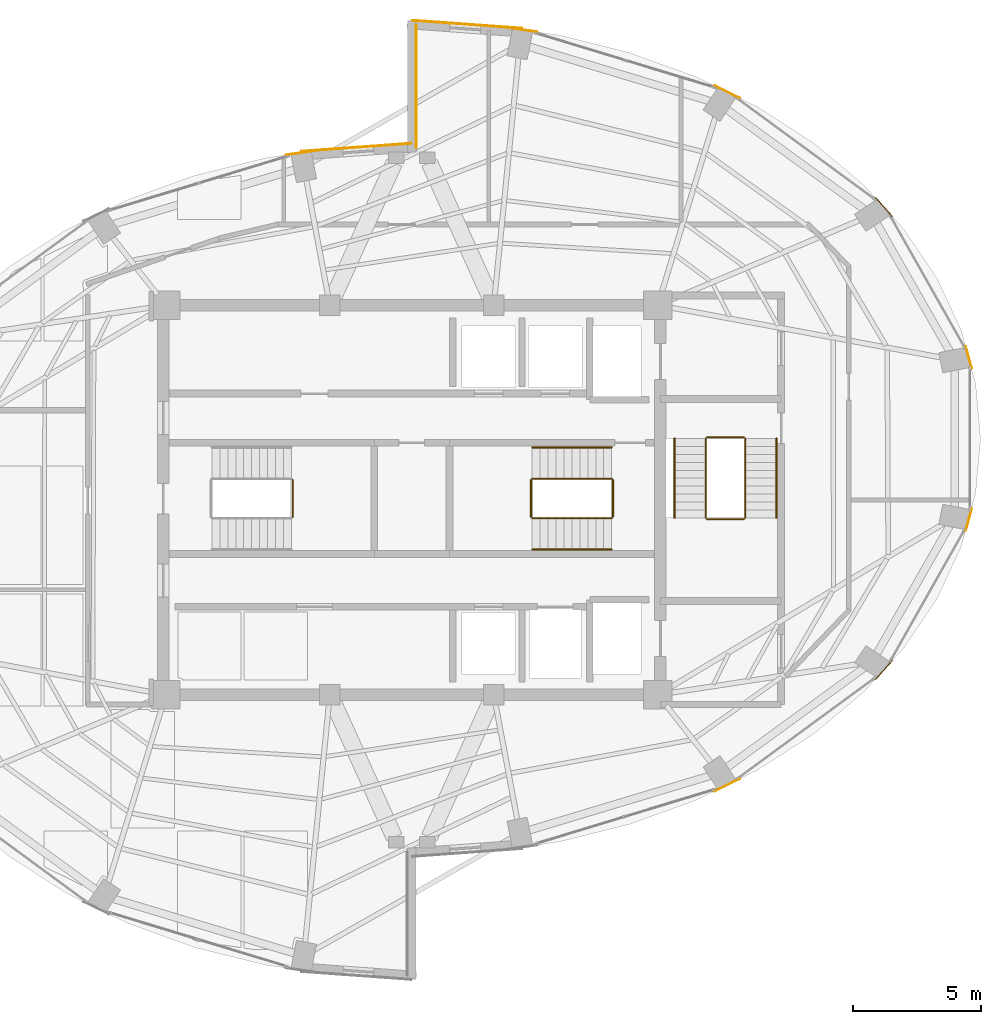
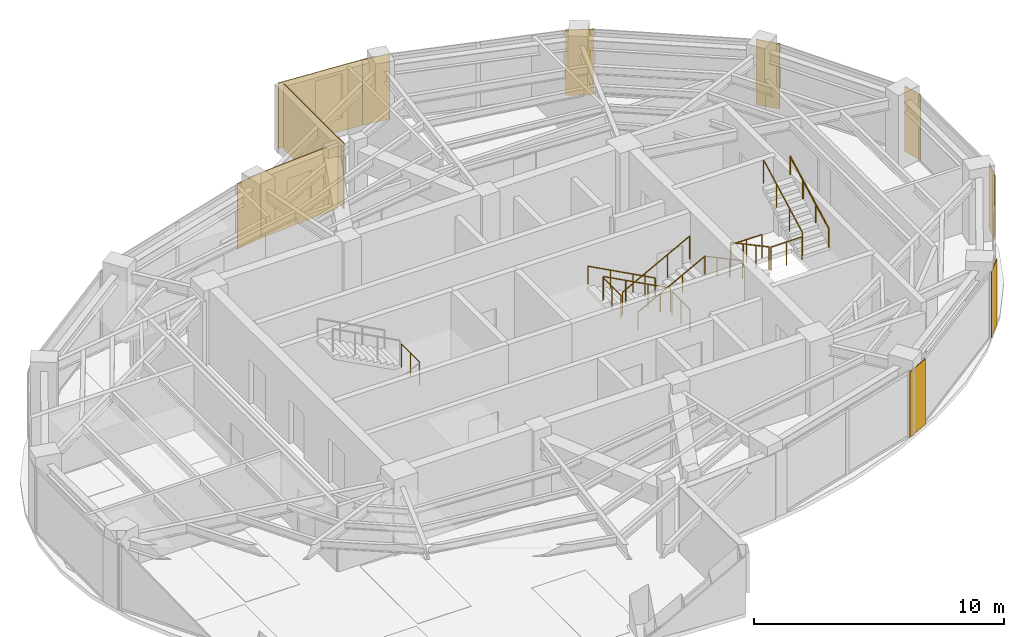
# One storey, part 22 of 22: 13 railings, 11 coverings.
"""IFC4 building model written with IfcOpenShell, lengths in metres."""

from ifc_helpers import new_model, si_unit, direction, frame, origin, origin_2d, place, context, subcontext, project, spatial, rectangle, circle, extrude, material, layer, layer_set, type_object, element, save


model = new_model("IFC4")

# Units and contexts
model_context = context("Model", 3, precision=1e-05, world=origin(), true_north=direction((0.0, 1.0)))
body_context = subcontext(model_context, "Body", "Model", "MODEL_VIEW")
ifc_project = project(units=[si_unit("LENGTHUNIT", "METRE"), si_unit("AREAUNIT", "SQUARE_METRE"), si_unit("VOLUMEUNIT", "CUBIC_METRE"), si_unit("PLANEANGLEUNIT", "RADIAN"), si_unit("MASSUNIT", "GRAM", prefix="KILO")], contexts=[model_context])

# Site, building, storey
site_placement = place(None, origin())
site = spatial("IfcSite", under=ifc_project, at=site_placement, CompositionType="ELEMENT")
building_placement = place(site_placement, origin())
building = spatial("IfcBuilding", under=site, at=building_placement, Name="Lazwardi Medical Tower", CompositionType="ELEMENT")
storey_placement = place(building_placement, frame((0.0, 0.0, 242.256103515625)))
storey = spatial("IfcBuildingStorey", under=building, at=storey_placement, Name="L63", CompositionType="ELEMENT", Elevation=242.256103515625)

# Coverings
ifc_material_1 = material(Name="Anodised bronze aluminium cassette cladding", Category="aluminium")
ifc_layer_1 = layer(ifc_material_1, 0.030029296875)
ifc_layer_set_1 = layer_set([ifc_layer_1], Name="Anodised bronze aluminium cassette cladding")
covering_type_1 = type_object("IfcCoveringType", Name="COV-CLD-BRZ", PredefinedType="CLADDING", material=ifc_layer_set_1)
covering_1_placement = place(storey_placement, frame((48.311279296875, 16.878662109375, 0.0), z_axis=(0.0, 0.0, 1.0), x_axis=(0.897840141691, 0.440321564278, 0.0)))
element("IfcCovering", 1, at=covering_1_placement, inside=storey, type_object=covering_type_1, Name="L63 Mega-column bronze cassette cover M02", PredefinedType="CLADDING", context=body_context, shape_type="SweptSolid", body=[
    extrude(rectangle(XDim=1.110595703125, YDim=0.030029296875, at=origin_2d()), origin(), (0.0, 0.0, 1.0), 3.197998046875),
])
covering_2_placement = place(storey_placement, frame((54.42529296875, 21.365234375, 0.0), z_axis=(0.0, 0.0, 1.0), x_axis=(0.673240970654, 0.739423150458, 0.0)))
element("IfcCovering", 2, at=covering_2_placement, inside=storey, type_object=covering_type_1, Name="L63 Mega-column bronze cassette cover M03", PredefinedType="CLADDING", context=body_context, shape_type="SweptSolid", body=[
    extrude(rectangle(XDim=0.98974609375, YDim=0.030029296875, at=origin_2d()), origin(), (0.0, 0.0, 1.0), 3.197998046875),
])
for number, where, z_axis, x_axis, name in (
    (3, (57.734130859375, 27.227294921875, 0.0), (0.0, 0.0, 1.0), (0.261641748247, 0.96516506131, 0.0), "L63 Mega-column bronze cassette cover M04"),
    (4, (57.734130859375, 33.572509765625, 0.0), (0.0, 0.0, 1.0), (-0.261641748247, 0.96516506131, 0.0), "L63 Mega-column bronze cassette cover M05"),
):
    element("IfcCovering", number, at=place(storey_placement, frame(where, z_axis=z_axis, x_axis=x_axis)), inside=storey, type_object=covering_type_1, Name=name, PredefinedType="CLADDING", context=body_context, shape_type="SweptSolid", body=[
        extrude(rectangle(XDim=0.894287109375, YDim=0.030029296875, at=origin_2d()), origin(), (0.0, 0.0, 1.0), 3.197998046875),
    ])
covering_3_placement = place(storey_placement, frame((54.42529296875, 39.434814453125, 0.0), z_axis=(0.0, 0.0, 1.0), x_axis=(-0.673240970654, 0.739423150458, 0.0)))
element("IfcCovering", 5, at=covering_3_placement, inside=storey, type_object=covering_type_1, Name="L63 Mega-column bronze cassette cover M06", PredefinedType="CLADDING", context=body_context, shape_type="SweptSolid", body=[
    extrude(rectangle(XDim=0.98974609375, YDim=0.030029296875, at=origin_2d()), origin(), (0.0, 0.0, 1.0), 3.197998046875),
])
covering_4_placement = place(storey_placement, frame((48.311279296875, 43.92138671875, 0.0), z_axis=(0.0, 0.0, 1.0), x_axis=(-0.897840141691, 0.440321564278, 0.0)))
element("IfcCovering", 6, at=covering_4_placement, inside=storey, type_object=covering_type_1, Name="L63 Mega-column bronze cassette cover M07", PredefinedType="CLADDING", context=body_context, shape_type="SweptSolid", body=[
    extrude(rectangle(XDim=1.110595703125, YDim=0.030029296875, at=origin_2d()), origin(), (0.0, 0.0, 1.0), 3.197998046875),
])
for number, where, z_axis, x_axis, name in (
    (7, (40.3232421875, 46.349609375, 0.0), (0.0, 0.0, 1.0), (-0.989512431533, 0.144447733943, 0.0), "L63 Mega-column bronze cassette cover M08"),
    (8, (31.6767578125, 41.549560546875, 0.0), (0.0, 0.0, 1.0), (-0.989512431533, -0.144447733943, 0.0), "L63 Mega-column bronze cassette cover M09"),
):
    element("IfcCovering", number, at=place(storey_placement, frame(where, z_axis=z_axis, x_axis=x_axis)), inside=storey, type_object=covering_type_1, Name=name, PredefinedType="CLADDING", context=body_context, shape_type="SweptSolid", body=[
        extrude(rectangle(XDim=1.188720703125, YDim=0.030029296875, at=origin_2d()), origin(), (0.0, 0.0, 1.0), 3.197998046875),
    ])
ifc_material_2 = material(Name="Turquoise glazed ceramic tilework cladding", Category="masonry")
ifc_layer_2 = layer(ifc_material_2, 0.034912109375)
ifc_layer_set_2 = layer_set([ifc_layer_2], Name="Turquoise glazed ceramic tilework cladding")
covering_type_2 = type_object("IfcCoveringType", Name="COV-CLD-TRQ", PredefinedType="CLADDING", material=ifc_layer_set_2)
covering_5_placement = place(storey_placement, frame((38.16259765625, 46.56005859375, 0.0), z_axis=(0.0, 0.0, 1.0), x_axis=(-0.997409491337, 0.071932653157, 0.0)))
element("IfcCovering", 9, at=covering_5_placement, inside=storey, type_object=covering_type_2, Name="L63 Turquoise glazed ceramic tilework cladding", PredefinedType="CLADDING", context=body_context, shape_type="SweptSolid", body=[
    extrude(rectangle(XDim=4.31103515625, YDim=0.034912109375, at=origin_2d()), origin(), (0.0, 0.0, 1.0), 3.197998046875),
])
covering_6_placement = place(storey_placement, frame((33.83740234375, 41.760009765625, 0.0), z_axis=(0.0, 0.0, 1.0), x_axis=(-0.997408989128, -0.071939616387, 0.0)))
element("IfcCovering", 10, at=covering_6_placement, inside=storey, type_object=covering_type_2, Name="L63 Turquoise glazed ceramic tilework cladding", PredefinedType="CLADDING", context=body_context, shape_type="SweptSolid", body=[
    extrude(rectangle(XDim=4.310546875, YDim=0.034912109375, at=origin_2d()), origin(), (0.0, 0.0, 1.0), 3.197998046875),
])
covering_7_placement = place(storey_placement, frame((36.175537109375, 44.139892578125, 0.0), z_axis=(0.0, 0.0, 1.0), x_axis=(0.0, -1.0, 0.0)))
element("IfcCovering", 11, at=covering_7_placement, inside=storey, type_object=covering_type_2, Name="L63 Turquoise glazed ceramic tilework iwan panel", PredefinedType="CLADDING", context=body_context, shape_type="SweptSolid", body=[
    extrude(rectangle(XDim=4.800048828125, YDim=0.034912109375, at=origin_2d()), origin(), (0.0, 0.0, 1.0), 3.197998046875),
])

# Railings
ifc_material_3 = material(Name="Stainless steel Grade 316", Category="steel")
railing_type_1 = type_object("IfcRailingType", Name="RLG-GRD-1150", PredefinedType="GUARDRAIL", material=ifc_material_3)
railing_1_placement = place(storey_placement, frame((31.35009765625, 27.340087890625, 1.823974609375)))
element("IfcRailing", 12, at=railing_1_placement, inside=storey, type_object=railing_type_1, Name="L63 ST1 stair guard 2", PredefinedType="GUARDRAIL", context=body_context, shape_type="SweptSolid", body=[
    extrude(circle(Radius=0.02392578125, at=origin_2d()), frame((0.0, 0.0, 1.1259765625), z_axis=(0.0, 1.0, 0.0), x_axis=(-1.0, 0.0, 0.0)), (0.0, 0.0, 1.0), 1.43994140625),
    extrude(circle(Radius=0.02099609375, at=origin_2d()), origin(), (0.0, 0.0, 1.0), 1.099853515625),
    extrude(circle(Radius=0.02099609375, at=origin_2d()), frame((0.0, 0.719970703125, 0.0)), (0.0, 0.0, 1.0), 1.099853515625),
    extrude(circle(Radius=0.02099609375, at=origin_2d()), frame((0.0, 1.43994140625, 0.0)), (0.0, 0.0, 1.0), 1.099853515625),
])
railing_2_placement = place(storey_placement, frame((43.800048828125, 28.830078125, 0.165771484375)))
element("IfcRailing", 13, at=railing_2_placement, inside=storey, type_object=railing_type_1, Name="L63 ST2 stair guard 1", PredefinedType="GUARDRAIL", context=body_context, shape_type="SweptSolid", body=[
    extrude(circle(Radius=0.02392578125, at=origin_2d()), frame((0.0, 0.0, 1.1259765625), z_axis=(-0.881783298633, 0.0, 0.471654761719), x_axis=(0.0, -1.0, 0.0)), (0.0, 0.0, 1.0), 3.515625),
    extrude(circle(Radius=0.02099609375, at=origin_2d()), origin(), (0.0, 0.0, 1.0), 1.099853515625),
    extrude(circle(Radius=0.02099609375, at=origin_2d()), frame((-1.033447265625, 0.0, 0.552734375)), (0.0, 0.0, 1.0), 1.099853515625),
    extrude(circle(Radius=0.02099609375, at=origin_2d()), frame((-2.066650390625, 0.0, 1.10546875)), (0.0, 0.0, 1.0), 1.099853515625),
    extrude(circle(Radius=0.02099609375, at=origin_2d()), frame((-3.10009765625, 0.0, 1.658203125)), (0.0, 0.0, 1.0), 1.099853515625),
])
railing_3_placement = place(storey_placement, frame((40.64990234375, 28.780029296875, 1.823974609375)))
element("IfcRailing", 14, at=railing_3_placement, inside=storey, type_object=railing_type_1, Name="L63 ST2 stair guard 2", PredefinedType="GUARDRAIL", context=body_context, shape_type="SweptSolid", body=[
    extrude(circle(Radius=0.02392578125, at=origin_2d()), frame((0.0, 0.0, 1.1259765625), z_axis=(0.0, -1.0, 0.0), x_axis=(1.0, 0.0, 0.0)), (0.0, 0.0, 1.0), 1.43994140625),
    extrude(circle(Radius=0.02099609375, at=origin_2d()), origin(), (0.0, 0.0, 1.0), 1.099853515625),
    extrude(circle(Radius=0.02099609375, at=origin_2d()), frame((0.0, -0.719970703125, 0.0)), (0.0, 0.0, 1.0), 1.099853515625),
    extrude(circle(Radius=0.02099609375, at=origin_2d()), frame((0.0, -1.43994140625, 0.0)), (0.0, 0.0, 1.0), 1.099853515625),
])
railing_4_placement = place(storey_placement, frame((40.699951171875, 27.2900390625, 1.98974609375)))
element("IfcRailing", 15, at=railing_4_placement, inside=storey, type_object=railing_type_1, Name="L63 ST2 stair guard 3", PredefinedType="GUARDRAIL", context=body_context, shape_type="SweptSolid", body=[
    extrude(circle(Radius=0.02392578125, at=origin_2d()), frame((0.0, 0.0, 1.1259765625), z_axis=(0.881783298633, 0.0, 0.471654761719), x_axis=(0.0, 1.0, 0.0)), (0.0, 0.0, 1.0), 3.515625),
    extrude(circle(Radius=0.02099609375, at=origin_2d()), origin(), (0.0, 0.0, 1.0), 1.099853515625),
    extrude(circle(Radius=0.02099609375, at=origin_2d()), frame((1.033447265625, 0.0, 0.552734375)), (0.0, 0.0, 1.0), 1.099853515625),
    extrude(circle(Radius=0.02099609375, at=origin_2d()), frame((2.066650390625, 0.0, 1.10546875)), (0.0, 0.0, 1.0), 1.099853515625),
    extrude(circle(Radius=0.02099609375, at=origin_2d()), frame((3.10009765625, 0.0, 1.658203125)), (0.0, 0.0, 1.0), 1.099853515625),
])
railing_5_placement = place(storey_placement, frame((43.85009765625, 28.780029296875, 0.0)))
element("IfcRailing", 16, at=railing_5_placement, inside=storey, type_object=railing_type_1, Name="L63 ST2 stair guard 4", PredefinedType="GUARDRAIL", context=body_context, shape_type="SweptSolid", body=[
    extrude(circle(Radius=0.02392578125, at=origin_2d()), frame((0.0, 0.0, 1.1259765625), z_axis=(0.0, -1.0, 0.0), x_axis=(1.0, 0.0, 0.0)), (0.0, 0.0, 1.0), 1.43994140625),
    extrude(circle(Radius=0.02099609375, at=origin_2d()), origin(), (0.0, 0.0, 1.0), 1.099853515625),
    extrude(circle(Radius=0.02099609375, at=origin_2d()), frame((0.0, -0.719970703125, 0.0)), (0.0, 0.0, 1.0), 1.099853515625),
    extrude(circle(Radius=0.02099609375, at=origin_2d()), frame((0.0, -1.43994140625, 0.0)), (0.0, 0.0, 1.0), 1.099853515625),
])
railing_6_placement = place(storey_placement, frame((47.469970703125, 30.39990234375, 0.165771484375)))
element("IfcRailing", 17, at=railing_6_placement, inside=storey, type_object=railing_type_1, Name="L63 ST3 stair guard 1", PredefinedType="GUARDRAIL", context=body_context, shape_type="SweptSolid", body=[
    extrude(circle(Radius=0.02392578125, at=origin_2d()), frame((0.0, 0.0, 1.1259765625), z_axis=(0.0, -0.881767849116, 0.471683644262), x_axis=(1.0, 0.0, 0.0)), (0.0, 0.0, 1.0), 3.515380859375),
    extrude(circle(Radius=0.02099609375, at=origin_2d()), origin(), (0.0, 0.0, 1.0), 1.099853515625),
    extrude(circle(Radius=0.02099609375, at=origin_2d()), frame((0.0, -1.033203125, 0.552734375)), (0.0, 0.0, 1.0), 1.099853515625),
    extrude(circle(Radius=0.02099609375, at=origin_2d()), frame((0.0, -2.066650390625, 1.10546875)), (0.0, 0.0, 1.0), 1.099853515625),
    extrude(circle(Radius=0.02099609375, at=origin_2d()), frame((0.0, -3.099853515625, 1.658203125)), (0.0, 0.0, 1.0), 1.099853515625),
])
railing_7_placement = place(storey_placement, frame((47.52001953125, 27.25, 1.823974609375)))
element("IfcRailing", 18, at=railing_7_placement, inside=storey, type_object=railing_type_1, Name="L63 ST3 stair guard 2", PredefinedType="GUARDRAIL", context=body_context, shape_type="SweptSolid", body=[
    extrude(circle(Radius=0.02392578125, at=origin_2d()), frame((0.0, 0.0, 1.1259765625), z_axis=(1.0, 0.0, 0.0), x_axis=(0.0, 1.0, 0.0)), (0.0, 0.0, 1.0), 1.43994140625),
    extrude(circle(Radius=0.02099609375, at=origin_2d()), origin(), (0.0, 0.0, 1.0), 1.099853515625),
    extrude(circle(Radius=0.02099609375, at=origin_2d()), frame((0.719970703125, 0.0, 0.0)), (0.0, 0.0, 1.0), 1.099853515625),
    extrude(circle(Radius=0.02099609375, at=origin_2d()), frame((1.43994140625, 0.0, 0.0)), (0.0, 0.0, 1.0), 1.099853515625),
])
railing_8_placement = place(storey_placement, frame((49.010009765625, 27.300048828125, 1.98974609375)))
element("IfcRailing", 19, at=railing_8_placement, inside=storey, type_object=railing_type_1, Name="L63 ST3 stair guard 3", PredefinedType="GUARDRAIL", context=body_context, shape_type="SweptSolid", body=[
    extrude(circle(Radius=0.02392578125, at=origin_2d()), frame((0.0, 0.0, 1.1259765625), z_axis=(0.0, 0.881767849116, 0.471683644262), x_axis=(-1.0, 0.0, 0.0)), (0.0, 0.0, 1.0), 3.515380859375),
    extrude(circle(Radius=0.02099609375, at=origin_2d()), origin(), (0.0, 0.0, 1.0), 1.099853515625),
    extrude(circle(Radius=0.02099609375, at=origin_2d()), frame((0.0, 1.033203125, 0.552734375)), (0.0, 0.0, 1.0), 1.099853515625),
    extrude(circle(Radius=0.02099609375, at=origin_2d()), frame((0.0, 2.066650390625, 1.10546875)), (0.0, 0.0, 1.0), 1.099853515625),
    extrude(circle(Radius=0.02099609375, at=origin_2d()), frame((0.0, 3.099853515625, 1.658203125)), (0.0, 0.0, 1.0), 1.099853515625),
])
railing_9_placement = place(storey_placement, frame((47.52001953125, 30.449951171875, 0.0)))
element("IfcRailing", 20, at=railing_9_placement, inside=storey, type_object=railing_type_1, Name="L63 ST3 stair guard 4", PredefinedType="GUARDRAIL", context=body_context, shape_type="SweptSolid", body=[
    extrude(circle(Radius=0.02392578125, at=origin_2d()), frame((0.0, 0.0, 1.1259765625), z_axis=(1.0, 0.0, 0.0), x_axis=(0.0, 1.0, 0.0)), (0.0, 0.0, 1.0), 1.43994140625),
    extrude(circle(Radius=0.02099609375, at=origin_2d()), origin(), (0.0, 0.0, 1.0), 1.099853515625),
    extrude(circle(Radius=0.02099609375, at=origin_2d()), frame((0.719970703125, 0.0, 0.0)), (0.0, 0.0, 1.0), 1.099853515625),
    extrude(circle(Radius=0.02099609375, at=origin_2d()), frame((1.43994140625, 0.0, 0.0)), (0.0, 0.0, 1.0), 1.099853515625),
])
railing_type_2 = type_object("IfcRailingType", Name="RLG-HND-920", PredefinedType="HANDRAIL", material=ifc_material_3)
railing_10_placement = place(storey_placement, frame((43.800048828125, 30.050048828125, 0.165771484375)))
element("IfcRailing", 21, at=railing_10_placement, inside=storey, type_object=railing_type_2, Name="L63 ST2 stair handrail 1", PredefinedType="HANDRAIL", context=body_context, shape_type="SweptSolid", body=[
    extrude(circle(Radius=0.02392578125, at=origin_2d()), frame((0.0, 0.0, 0.8857421875), z_axis=(-0.881783298633, 0.0, 0.471654761719), x_axis=(0.0, -1.0, 0.0)), (0.0, 0.0, 1.0), 3.515625),
    extrude(circle(Radius=0.02099609375, at=origin_2d()), origin(), (0.0, 0.0, 1.0), 0.85986328125),
    extrude(circle(Radius=0.02099609375, at=origin_2d()), frame((-1.033447265625, 0.0, 0.552734375)), (0.0, 0.0, 1.0), 0.85986328125),
    extrude(circle(Radius=0.02099609375, at=origin_2d()), frame((-2.066650390625, 0.0, 1.10546875)), (0.0, 0.0, 1.0), 0.85986328125),
    extrude(circle(Radius=0.02099609375, at=origin_2d()), frame((-3.10009765625, 0.0, 1.658203125)), (0.0, 0.0, 1.0), 0.85986328125),
])
railing_11_placement = place(storey_placement, frame((40.699951171875, 26.070068359375, 1.98974609375)))
element("IfcRailing", 22, at=railing_11_placement, inside=storey, type_object=railing_type_2, Name="L63 ST2 stair handrail 2", PredefinedType="HANDRAIL", context=body_context, shape_type="SweptSolid", body=[
    extrude(circle(Radius=0.02392578125, at=origin_2d()), frame((0.0, 0.0, 0.8857421875), z_axis=(0.881783298633, 0.0, 0.471654761719), x_axis=(0.0, 1.0, 0.0)), (0.0, 0.0, 1.0), 3.515625),
    extrude(circle(Radius=0.02099609375, at=origin_2d()), origin(), (0.0, 0.0, 1.0), 0.85986328125),
    extrude(circle(Radius=0.02099609375, at=origin_2d()), frame((1.033447265625, 0.0, 0.552734375)), (0.0, 0.0, 1.0), 0.85986328125),
    extrude(circle(Radius=0.02099609375, at=origin_2d()), frame((2.066650390625, 0.0, 1.10546875)), (0.0, 0.0, 1.0), 0.85986328125),
    extrude(circle(Radius=0.02099609375, at=origin_2d()), frame((3.10009765625, 0.0, 1.658203125)), (0.0, 0.0, 1.0), 0.85986328125),
])
railing_12_placement = place(storey_placement, frame((46.25, 30.39990234375, 0.165771484375)))
element("IfcRailing", 23, at=railing_12_placement, inside=storey, type_object=railing_type_2, Name="L63 ST3 stair handrail 1", PredefinedType="HANDRAIL", context=body_context, shape_type="SweptSolid", body=[
    extrude(circle(Radius=0.02392578125, at=origin_2d()), frame((0.0, 0.0, 0.8857421875), z_axis=(0.0, -0.881767849116, 0.471683644262), x_axis=(1.0, 0.0, 0.0)), (0.0, 0.0, 1.0), 3.515380859375),
    extrude(circle(Radius=0.02099609375, at=origin_2d()), origin(), (0.0, 0.0, 1.0), 0.85986328125),
    extrude(circle(Radius=0.02099609375, at=origin_2d()), frame((0.0, -1.033203125, 0.552734375)), (0.0, 0.0, 1.0), 0.85986328125),
    extrude(circle(Radius=0.02099609375, at=origin_2d()), frame((0.0, -2.066650390625, 1.10546875)), (0.0, 0.0, 1.0), 0.85986328125),
    extrude(circle(Radius=0.02099609375, at=origin_2d()), frame((0.0, -3.099853515625, 1.658203125)), (0.0, 0.0, 1.0), 0.85986328125),
])
railing_13_placement = place(storey_placement, frame((50.22998046875, 27.300048828125, 1.98974609375)))
element("IfcRailing", 24, at=railing_13_placement, inside=storey, type_object=railing_type_2, Name="L63 ST3 stair handrail 2", PredefinedType="HANDRAIL", context=body_context, shape_type="SweptSolid", body=[
    extrude(circle(Radius=0.02392578125, at=origin_2d()), frame((0.0, 0.0, 0.8857421875), z_axis=(0.0, 0.881767849116, 0.471683644262), x_axis=(-1.0, 0.0, 0.0)), (0.0, 0.0, 1.0), 3.515380859375),
    extrude(circle(Radius=0.02099609375, at=origin_2d()), origin(), (0.0, 0.0, 1.0), 0.85986328125),
    extrude(circle(Radius=0.02099609375, at=origin_2d()), frame((0.0, 1.033203125, 0.552734375)), (0.0, 0.0, 1.0), 0.85986328125),
    extrude(circle(Radius=0.02099609375, at=origin_2d()), frame((0.0, 2.066650390625, 1.10546875)), (0.0, 0.0, 1.0), 0.85986328125),
    extrude(circle(Radius=0.02099609375, at=origin_2d()), frame((0.0, 3.099853515625, 1.658203125)), (0.0, 0.0, 1.0), 0.85986328125),
])

save(model, "model.ifc")
